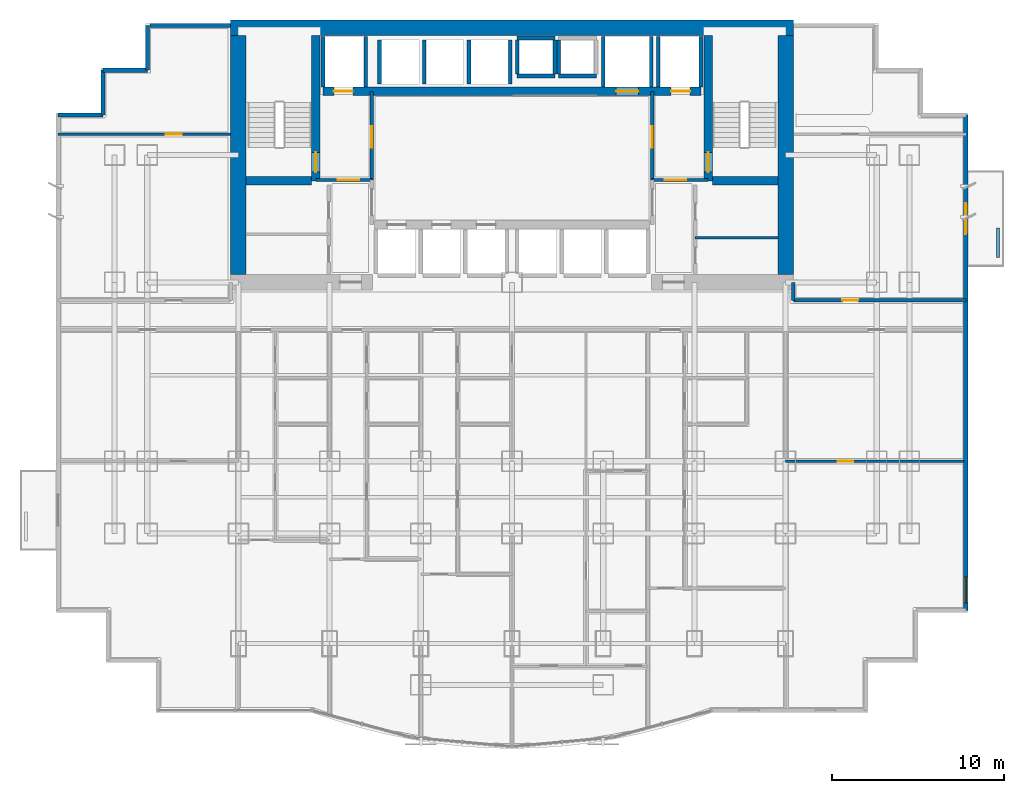
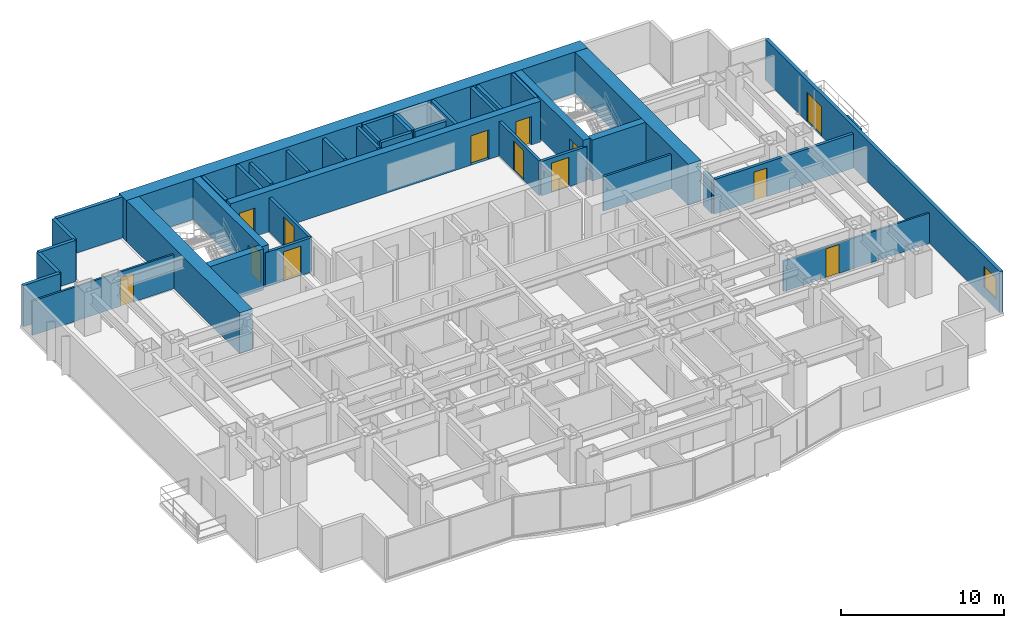
# One storey, part 7 of 10: 40 walls, 13 doors, 1 window, 14 openings.
"""IFC4 building model written with IfcOpenShell, lengths in metres."""

from ifc_helpers import new_model, si_unit, direction, frame, frame_2d, origin, place, context, subcontext, project, spatial, rectangle, extrude, material, layer, layer_set, type_object, element, fill, save


model = new_model("IFC4")

# Units and contexts
model_context = context("Model", 3, precision=1e-05, world=origin(), true_north=direction((0.0, 1.0)))
body_context = subcontext(model_context, "Body", "Model", "MODEL_VIEW")
ifc_project = project(units=[si_unit("LENGTHUNIT", "METRE"), si_unit("AREAUNIT", "SQUARE_METRE"), si_unit("VOLUMEUNIT", "CUBIC_METRE"), si_unit("PLANEANGLEUNIT", "RADIAN"), si_unit("MASSUNIT", "GRAM", prefix="KILO")], contexts=[model_context])

# Site, building, storey
site_placement = place(None, origin())
site = spatial("IfcSite", under=ifc_project, at=site_placement, CompositionType="ELEMENT")
building_placement = place(site_placement, origin())
building = spatial("IfcBuilding", under=site, at=building_placement, Name="Qianlan Lanfeng Residences", CompositionType="ELEMENT")
storey_placement = place(building_placement, frame((0.0, 0.0, 37.39990234375)))
storey = spatial("IfcBuildingStorey", under=building, at=storey_placement, Name="L09", CompositionType="ELEMENT", Elevation=37.39990234375)

# Wall, opening, door
ifc_material_1 = material(Name="Concrete C70", Category="concrete")
ifc_layer_1 = layer(ifc_material_1, 0.5)
ifc_layer_set_1 = layer_set([ifc_layer_1], Name="Concrete C70")
wall_type_1 = type_object("IfcWallType", Name="CW-RC-500", PredefinedType="SHEAR", material=ifc_layer_set_1)
wall_1_placement = place(storey_placement, frame((15.10009765625, 31.10009765625, 0.0), z_axis=(0.0, 0.0, 1.0), x_axis=(0.0, 1.0, 0.0)))
wall_1 = element("IfcWall", 1, at=wall_1_placement, inside=storey, type_object=wall_type_1, Name="L09 Core Shear Wall ST1E", PredefinedType="SHEAR", context=body_context, shape_type="SweptSolid", body=[
    extrude(rectangle(XDim=8.449951171875, YDim=0.5, at=frame_2d((4.22509765625, 0.0))), origin(), (0.0, 0.0, 1.0), 3.080078125),
])
opening_1_placement = place(wall_1_placement, frame((0.510009765625, 0.0, 0.0)))
opening_1 = element("IfcOpeningElement", 2, at=opening_1_placement, cuts=wall_1, Name="Opening L09-D07", PredefinedType="OPENING", context=body_context, shape_type="SweptSolid", body=[
    extrude(rectangle(XDim=1.14990234375, YDim=2.199951171875, at=frame_2d((0.574951171875, 1.10009765625))), frame((0.0, 0.260009765625, 0.0), z_axis=(0.0, -1.0, 0.0), x_axis=(1.0, 0.0, 0.0)), (0.0, 0.0, 1.0), 0.52001953125),
])
ifc_material_2 = material(Name="Painted Galvanised Steel Fire Door", Category="steel")
door_type_1 = type_object("IfcDoorType", Name="DT-ST1", OperationType="NOTDEFINED", PredefinedType="DOOR", material=ifc_material_2)
door_1_placement = place(opening_1_placement, frame((1.14990234375, 0.0, 0.0), z_axis=(0.0, 0.0, 1.0), x_axis=(-1.0, 0.0, 0.0)))
door_1 = element("IfcDoor", 3, at=door_1_placement, inside=storey, type_object=door_type_1, Name="L09 Exit Stair ST-1 Door L09-D07 (DT-ST1)", OperationType="SINGLE_SWING_RIGHT", OverallHeight=2.199951171875, OverallWidth=1.14990234375, PredefinedType="DOOR", context=body_context, shape_type="SweptSolid", body=[
    extrude(rectangle(XDim=1.14990234375, YDim=2.199951171875, at=frame_2d((0.574951171875, 1.10009765625))), frame((0.0, 0.02490234375, 0.0), z_axis=(0.0, -1.0, 0.0), x_axis=(1.0, 0.0, 0.0)), (0.0, 0.0, 1.0), 0.050048828125),
])
fill(opening_1, door_1)

# Wall
wall_2_placement = place(storey_placement, frame((11.050048828125, 31.10009765625, 0.0), z_axis=(0.0, 0.0, 1.0), x_axis=(1.0, 0.0, 0.0)))
element("IfcWall", 4, at=wall_2_placement, inside=storey, type_object=wall_type_1, Name="L09 Core Shear Wall ST1S", PredefinedType="SHEAR", context=body_context, shape_type="SweptSolid", body=[
    extrude(rectangle(XDim=3.800048828125, YDim=0.5, at=frame_2d((1.89990234375, 0.0))), origin(), (0.0, 0.0, 1.0), 3.080078125),
])

# Wall, opening, door
wall_3_placement = place(storey_placement, frame((37.89990234375, 31.10009765625, 0.0), z_axis=(0.0, 0.0, 1.0), x_axis=(0.0, 1.0, 0.0)))
wall_3 = element("IfcWall", 5, at=wall_3_placement, inside=storey, type_object=wall_type_1, Name="L09 Core Shear Wall ST2W", PredefinedType="SHEAR", context=body_context, shape_type="SweptSolid", body=[
    extrude(rectangle(XDim=8.449951171875, YDim=0.5, at=frame_2d((4.22509765625, 0.0))), origin(), (0.0, 0.0, 1.0), 3.080078125),
])
opening_2_placement = place(wall_3_placement, frame((0.510009765625, 0.0, 0.0)))
opening_2 = element("IfcOpeningElement", 6, at=opening_2_placement, cuts=wall_3, Name="Opening L09-D08", PredefinedType="OPENING", context=body_context, shape_type="SweptSolid", body=[
    extrude(rectangle(XDim=1.14990234375, YDim=2.199951171875, at=frame_2d((0.574951171875, 1.10009765625))), frame((0.0, 0.260009765625, 0.0), z_axis=(0.0, -1.0, 0.0), x_axis=(1.0, 0.0, 0.0)), (0.0, 0.0, 1.0), 0.52001953125),
])
door_2_placement = place(opening_2_placement, origin())
door_2 = element("IfcDoor", 7, at=door_2_placement, inside=storey, type_object=door_type_1, Name="L09 Exit Stair ST-2 Door L09-D08 (DT-ST1)", OperationType="SINGLE_SWING_RIGHT", OverallHeight=2.199951171875, OverallWidth=1.14990234375, PredefinedType="DOOR", context=body_context, shape_type="SweptSolid", body=[
    extrude(rectangle(XDim=1.14990234375, YDim=2.199951171875, at=frame_2d((0.574951171875, 1.10009765625))), frame((0.0, 0.02490234375, 0.0), z_axis=(0.0, -1.0, 0.0), x_axis=(1.0, 0.0, 0.0)), (0.0, 0.0, 1.0), 0.050048828125),
])
fill(opening_2, door_2)

# Wall
wall_4_placement = place(storey_placement, frame((38.14990234375, 31.10009765625, 0.0), z_axis=(0.0, 0.0, 1.0), x_axis=(1.0, 0.0, 0.0)))
element("IfcWall", 8, at=wall_4_placement, inside=storey, type_object=wall_type_1, Name="L09 Core Shear Wall ST2S", PredefinedType="SHEAR", context=body_context, shape_type="SweptSolid", body=[
    extrude(rectangle(XDim=3.800048828125, YDim=0.5, at=frame_2d((1.89990234375, 0.0))), origin(), (0.0, 0.0, 1.0), 3.080078125),
])

# Wall, openings, doors
wall_5_placement = place(storey_placement, frame((15.5, 36.300048828125, 0.0), z_axis=(0.0, 0.0, 1.0), x_axis=(1.0, 0.0, 0.0)))
wall_5 = element("IfcWall", 9, at=wall_5_placement, inside=storey, type_object=wall_type_1, Name="L09 Core Shear Wall LBN", PredefinedType="SHEAR", context=body_context, shape_type="SweptSolid", body=[
    extrude(rectangle(XDim=22.0, YDim=0.5, at=frame_2d((11.0, 0.0))), origin(), (0.0, 0.0, 1.0), 3.080078125),
])
opening_3_placement = place(wall_5_placement, frame((0.64990234375, 0.0, 0.0)))
opening_3 = element("IfcOpeningElement", 10, at=opening_3_placement, cuts=wall_5, Name="Opening L09-LD-FFL-1", PredefinedType="OPENING", context=body_context, shape_type="SweptSolid", body=[
    extrude(rectangle(XDim=1.10009765625, YDim=2.14990234375, at=frame_2d((0.550048828125, 1.074951171875))), frame((0.0, 0.260009765625, 0.0), z_axis=(0.0, -1.0, 0.0), x_axis=(1.0, 0.0, 0.0)), (0.0, 0.0, 1.0), 0.52001953125),
])
opening_4_placement = place(wall_5_placement, frame((20.25, 0.0, 0.0)))
opening_4 = element("IfcOpeningElement", 11, at=opening_4_placement, cuts=wall_5, Name="Opening L09-LD-FFL-2", PredefinedType="OPENING", context=body_context, shape_type="SweptSolid", body=[
    extrude(rectangle(XDim=1.10009765625, YDim=2.14990234375, at=frame_2d((0.550048828125, 1.074951171875))), frame((0.0, 0.260009765625, 0.0), z_axis=(0.0, -1.0, 0.0), x_axis=(1.0, 0.0, 0.0)), (0.0, 0.0, 1.0), 0.52001953125),
])
opening_5_placement = place(wall_5_placement, frame((17.050048828125, 0.0, 0.0)))
opening_5 = element("IfcOpeningElement", 12, at=opening_5_placement, cuts=wall_5, Name="Opening L09-LD-SVL-1", PredefinedType="OPENING", context=body_context, shape_type="SweptSolid", body=[
    extrude(rectangle(XDim=1.300048828125, YDim=2.199951171875, at=frame_2d((0.64990234375, 1.10009765625))), frame((0.0, 0.260009765625, 0.0), z_axis=(0.0, -1.0, 0.0), x_axis=(1.0, 0.0, 0.0)), (0.0, 0.0, 1.0), 0.52001953125),
])
ifc_material_3 = material(Name="Brushed Stainless Steel Sliding Lift Door", Category="steel")
door_type_2 = type_object("IfcDoorType", Name="LD-01", OperationType="NOTDEFINED", PredefinedType="DOOR", material=ifc_material_3)
door_3_placement = place(opening_3_placement, frame((1.10009765625, 0.0, 0.0), z_axis=(0.0, 0.0, 1.0), x_axis=(-1.0, 0.0, 0.0)))
door_3 = element("IfcDoor", 13, at=door_3_placement, inside=storey, type_object=door_type_2, Name="L09 Elevator FFL-1 Sliding Landing Door", OperationType="DOUBLE_DOOR_SLIDING", OverallHeight=2.14990234375, OverallWidth=1.10009765625, PredefinedType="DOOR", context=body_context, shape_type="SweptSolid", body=[
    extrude(rectangle(XDim=1.10009765625, YDim=2.14990234375, at=frame_2d((0.550048828125, 1.074951171875))), frame((0.0, 0.02490234375, 0.0), z_axis=(0.0, -1.0, 0.0), x_axis=(1.0, 0.0, 0.0)), (0.0, 0.0, 1.0), 0.050048828125),
])
fill(opening_3, door_3)
door_4_placement = place(opening_4_placement, frame((1.10009765625, 0.0, 0.0), z_axis=(0.0, 0.0, 1.0), x_axis=(-1.0, 0.0, 0.0)))
door_4 = element("IfcDoor", 14, at=door_4_placement, inside=storey, type_object=door_type_2, Name="L09 Elevator FFL-2 Sliding Landing Door", OperationType="DOUBLE_DOOR_SLIDING", OverallHeight=2.14990234375, OverallWidth=1.10009765625, PredefinedType="DOOR", context=body_context, shape_type="SweptSolid", body=[
    extrude(rectangle(XDim=1.10009765625, YDim=2.14990234375, at=frame_2d((0.550048828125, 1.074951171875))), frame((0.0, 0.02490234375, 0.0), z_axis=(0.0, -1.0, 0.0), x_axis=(1.0, 0.0, 0.0)), (0.0, 0.0, 1.0), 0.050048828125),
])
fill(opening_4, door_4)
door_type_3 = type_object("IfcDoorType", Name="LD-02", OperationType="NOTDEFINED", PredefinedType="DOOR", material=ifc_material_3)
door_5_placement = place(opening_5_placement, frame((1.300048828125, 0.0, 0.0), z_axis=(0.0, 0.0, 1.0), x_axis=(-1.0, 0.0, 0.0)))
door_5 = element("IfcDoor", 15, at=door_5_placement, inside=storey, type_object=door_type_3, Name="L09 Elevator SVL-1 Sliding Landing Door", OperationType="DOUBLE_DOOR_SLIDING", OverallHeight=2.199951171875, OverallWidth=1.300048828125, PredefinedType="DOOR", context=body_context, shape_type="SweptSolid", body=[
    extrude(rectangle(XDim=1.300048828125, YDim=2.199951171875, at=frame_2d((0.64990234375, 1.10009765625))), frame((0.0, 0.02490234375, 0.0), z_axis=(0.0, -1.0, 0.0), x_axis=(1.0, 0.0, 0.0)), (0.0, 0.0, 1.0), 0.050048828125),
])
fill(opening_5, door_5)

# Walls
ifc_layer_2 = layer(ifc_material_1, 0.89990234375)
ifc_layer_set_2 = layer_set([ifc_layer_2], Name="Concrete C70")
wall_type_2 = type_object("IfcWallType", Name="CW-RC-900", PredefinedType="SHEAR", material=ifc_layer_set_2)
wall_6_placement = place(storey_placement, frame((10.14990234375, 40.0, 0.0), z_axis=(0.0, 0.0, 1.0), x_axis=(1.0, 0.0, 0.0)))
element("IfcWall", 16, at=wall_6_placement, inside=storey, type_object=wall_type_2, Name="L09 Core Shear Wall N", PredefinedType="SHEAR", context=body_context, shape_type="SweptSolid", body=[
    extrude(rectangle(XDim=32.7001953125, YDim=0.89990234375, at=frame_2d((16.35009765625, 0.0))), origin(), (0.0, 0.0, 1.0), 3.080078125),
])
for number, where, z_axis, x_axis, name in (
    (17, (10.60009765625, 25.64990234375, 0.0), (0.0, 0.0, 1.0), (0.0, 1.0, 0.0), "L09 Core Shear Wall W"),
    (18, (42.39990234375, 25.64990234375, 0.0), (0.0, 0.0, 1.0), (0.0, 1.0, 0.0), "L09 Core Shear Wall E"),
):
    element("IfcWall", number, at=place(storey_placement, frame(where, z_axis=z_axis, x_axis=x_axis)), inside=storey, type_object=wall_type_2, Name=name, PredefinedType="SHEAR", context=body_context, shape_type="SweptSolid", body=[
        extrude(rectangle(XDim=13.900146484375, YDim=0.89990234375, at=frame_2d((6.9501953125, 0.0))), origin(), (0.0, 0.0, 1.0), 3.080078125),
    ])

# Wall, openings, door, window
ifc_material_4 = material(Name="Concrete C42", Category="concrete")
ifc_layer_3 = layer(ifc_material_4, 0.239990234375)
ifc_layer_set_3 = layer_set([ifc_layer_3], Name="Concrete C42")
wall_type_3 = type_object("IfcWallType", Name="EW-240", PredefinedType="SOLIDWALL", material=ifc_layer_set_3)
wall_7_placement = place(storey_placement, frame((52.8798828125, 6.1201171875, 0.0), z_axis=(0.0, 0.0, 1.0), x_axis=(0.0, 1.0, 0.0)))
wall_7 = element("IfcWall", 19, at=wall_7_placement, inside=storey, type_object=wall_type_3, Name="L09 Terrace/Balcony Access Exterior Wall 10", PredefinedType="SOLIDWALL", context=body_context, shape_type="SweptSolid", body=[
    extrude(rectangle(XDim=28.809814453125, YDim=0.239990234375, at=frame_2d((14.40478515625, 0.0))), origin(), (0.0, 0.0, 1.0), 3.080078125),
])
opening_6_placement = place(wall_7_placement, frame((21.8798828125, 0.0, 0.0)))
opening_6 = element("IfcOpeningElement", 20, at=opening_6_placement, cuts=wall_7, Name="Opening L09-D-EB-N", PredefinedType="OPENING", context=body_context, shape_type="SweptSolid", body=[
    extrude(rectangle(XDim=1.800048828125, YDim=2.199951171875, at=frame_2d((0.89990234375, 1.10009765625))), frame((0.0, 0.1298828125, 0.0), z_axis=(0.0, -1.0, 0.0), x_axis=(1.0, 0.0, 0.0)), (0.0, 0.0, 1.0), 0.260009765625),
])
opening_7_placement = place(wall_7_placement, frame((0.449951171875, 0.0, 0.75)))
opening_7 = element("IfcOpeningElement", 21, at=opening_7_placement, cuts=wall_7, Name="Opening W-02", PredefinedType="OPENING", context=body_context, shape_type="SweptSolid", body=[
    extrude(rectangle(XDim=1.5, YDim=1.60009765625, at=frame_2d((0.75, 0.800048828125))), frame((0.0, 0.1298828125, 0.0), z_axis=(0.0, -1.0, 0.0), x_axis=(1.0, 0.0, 0.0)), (0.0, 0.0, 1.0), 0.260009765625),
])
ifc_material_5 = material(Name="Anodised Bronze Aluminium Framed Glass", Category="aluminium")
door_type_4 = type_object("IfcDoorType", Name="DT-BAL1", OperationType="NOTDEFINED", PredefinedType="DOOR", material=ifc_material_5)
door_6_placement = place(opening_6_placement, frame((1.800048828125, 0.0, 0.0), z_axis=(0.0, 0.0, 1.0), x_axis=(-1.0, 0.0, 0.0)))
door_6 = element("IfcDoor", 22, at=door_6_placement, inside=storey, type_object=door_type_4, Name="L09 Exterior Access Door EB-N", OperationType="DOUBLE_DOOR_SLIDING", OverallHeight=2.199951171875, OverallWidth=1.800048828125, PredefinedType="DOOR", context=body_context, shape_type="SweptSolid", body=[
    extrude(rectangle(XDim=1.800048828125, YDim=2.199951171875, at=frame_2d((0.89990234375, 1.10009765625))), frame((0.0, 0.02490234375, 0.0), z_axis=(0.0, -1.0, 0.0), x_axis=(1.0, 0.0, 0.0)), (0.0, 0.0, 1.0), 0.050048828125),
])
fill(opening_6, door_6)
ifc_material_6 = material(Name="Anodised Bronze Aluminium Framed Double Glazing", Category="aluminium")
window_type = type_object("IfcWindowType", Name="W-02", PartitioningType="SINGLE_PANEL", PredefinedType="WINDOW", material=ifc_material_6)
window_placement = place(opening_7_placement, origin())
window = element("IfcWindow", 23, at=window_placement, inside=storey, type_object=window_type, Name="L09 Exterior Window W-02", OverallHeight=1.60009765625, OverallWidth=1.5, PartitioningType="SINGLE_PANEL", PredefinedType="WINDOW", context=body_context, shape_type="SweptSolid", body=[
    extrude(rectangle(XDim=1.5, YDim=1.60009765625, at=frame_2d((0.75, 0.800048828125))), frame((0.0, 0.030029296875, 0.0), z_axis=(0.0, -1.0, 0.0), x_axis=(1.0, 0.0, 0.0)), (0.0, 0.0, 1.0), 0.06005859375),
])
fill(opening_7, window)

# Walls
wall_8_placement = place(storey_placement, frame((10.14990234375, 40.1298828125, 0.0), z_axis=(0.0, 0.0, 1.0), x_axis=(-1.0, 0.0, 0.0)))
element("IfcWall", 24, at=wall_8_placement, inside=storey, type_object=wall_type_3, Name="L09 North Wing Exterior Wall W", PredefinedType="SOLIDWALL", context=body_context, shape_type="SweptSolid", body=[
    extrude(rectangle(XDim=4.699951171875, YDim=0.239990234375, at=frame_2d((2.35009765625, 0.0))), origin(), (0.0, 0.0, 1.0), 3.080078125),
])
wall_9_placement = place(storey_placement, frame((5.320068359375, 40.1298828125, 0.0), z_axis=(0.0, 0.0, 1.0), x_axis=(0.0, -1.0, 0.0)))
element("IfcWall", 25, at=wall_9_placement, inside=storey, type_object=wall_type_3, Name="L09 Exterior Facade Spandrel Wall 17", PredefinedType="SOLIDWALL", context=body_context, shape_type="SweptSolid", body=[
    extrude(rectangle(XDim=2.599853515625, YDim=0.239990234375, at=frame_2d((1.2998046875, 0.0))), origin(), (0.0, 0.0, 1.0), 3.080078125),
])
for number, where, z_axis, x_axis, name in (
    (26, (5.320068359375, 37.530029296875, 0.0), (0.0, 0.0, 1.0), (-1.0, 0.0, 0.0), "L09 Exterior Facade Spandrel Wall 18"),
    (27, (2.719970703125, 37.530029296875, 0.0), (0.0, 0.0, 1.0), (0.0, -1.0, 0.0), "L09 Exterior Facade Spandrel Wall 19"),
):
    element("IfcWall", number, at=place(storey_placement, frame(where, z_axis=z_axis, x_axis=x_axis)), inside=storey, type_object=wall_type_3, Name=name, PredefinedType="SOLIDWALL", context=body_context, shape_type="SweptSolid", body=[
        extrude(rectangle(XDim=2.60009765625, YDim=0.239990234375, at=frame_2d((1.300048828125, 0.0))), origin(), (0.0, 0.0, 1.0), 3.080078125),
    ])
wall_10_placement = place(storey_placement, frame((2.719970703125, 34.929931640625, 0.0), z_axis=(0.0, 0.0, 1.0), x_axis=(-1.0, 0.0, 0.0)))
element("IfcWall", 28, at=wall_10_placement, inside=storey, type_object=wall_type_3, Name="L09 Exterior Facade Spandrel Wall 20", PredefinedType="SOLIDWALL", context=body_context, shape_type="SweptSolid", body=[
    extrude(rectangle(XDim=2.599853515625, YDim=0.239990234375, at=frame_2d((1.2998046875, 0.0))), origin(), (0.0, 0.0, 1.0), 3.080078125),
])
ifc_layer_4 = layer(ifc_material_4, 0.199951171875)
ifc_layer_set_4 = layer_set([ifc_layer_4], Name="Concrete C42")
wall_type_4 = type_object("IfcWallType", Name="PL-TREE-200", PredefinedType="PARAPET", material=ifc_layer_set_4)
wall_11_placement = place(storey_placement, frame((54.75, 26.64990234375, 0.0), z_axis=(0.0, 0.0, 1.0), x_axis=(0.0, 1.0, 0.0)))
element("IfcWall", 29, at=wall_11_placement, inside=storey, type_object=wall_type_4, Name="L09 East Tree Planter Curb EB-N", PredefinedType="PARAPET", context=body_context, shape_type="SweptSolid", body=[
    extrude(rectangle(XDim=1.7001953125, YDim=0.199951171875, at=frame_2d((0.85009765625, 0.0))), origin(), (0.0, 0.0, 1.0), 0.650146484375),
])

# Wall, opening, door
ifc_material_7 = material(Name="Moisture-Resistant Gypsum Partition 135 mm")
ifc_layer_5 = layer(ifc_material_7, 0.135009765625)
ifc_layer_set_5 = layer_set([ifc_layer_5], Name="Moisture-Resistant Gypsum Partition 135 mm")
wall_type_5 = type_object("IfcWallType", Name="PW-135", PredefinedType="PARTITIONING", material=ifc_layer_set_5)
wall_12_placement = place(storey_placement, frame((42.39990234375, 14.800048828125, 0.0), z_axis=(0.0, 0.0, 1.0), x_axis=(1.0, 0.0, 0.0)))
wall_12 = element("IfcWall", 30, at=wall_12_placement, inside=storey, type_object=wall_type_5, Name="L09 SEP Mid Partition", PredefinedType="PARTITIONING", context=body_context, shape_type="SweptSolid", body=[
    extrude(rectangle(XDim=10.380126953125, YDim=0.135009765625, at=frame_2d((5.18994140625, 0.0))), origin(), (0.0, 0.0, 1.0), 2.275146484375),
])
opening_8_placement = place(wall_12_placement, frame((3.030029296875, 0.0, 0.0)))
opening_8 = element("IfcOpeningElement", 31, at=opening_8_placement, cuts=wall_12, Name="Opening L09-D42", PredefinedType="OPENING", context=body_context, shape_type="SweptSolid", body=[
    extrude(rectangle(XDim=0.919921875, YDim=2.14990234375, at=frame_2d((0.4599609375, 1.074951171875))), frame((0.0, 0.07763671875, 0.0), z_axis=(0.0, -1.0, 0.0), x_axis=(1.0, 0.0, 0.0)), (0.0, 0.0, 1.0), 0.155029296875),
])
ifc_material_8 = material(Name="Glazed Timber Kitchen/Study Door", Category="wood")
door_type_5 = type_object("IfcDoorType", Name="DT-INT", OperationType="NOTDEFINED", PredefinedType="DOOR", material=ifc_material_8)
door_7_placement = place(opening_8_placement, origin())
door_7 = element("IfcDoor", 32, at=door_7_placement, inside=storey, type_object=door_type_5, Name="L09 SEP Inner Door L09-D42 (DT-INT)", OperationType="SINGLE_SWING_RIGHT", OverallHeight=2.14990234375, OverallWidth=0.919921875, PredefinedType="DOOR", context=body_context, shape_type="SweptSolid", body=[
    extrude(rectangle(XDim=0.919921875, YDim=2.14990234375, at=frame_2d((0.4599609375, 1.074951171875))), frame((0.0, 0.02490234375, 0.0), z_axis=(0.0, -1.0, 0.0), x_axis=(1.0, 0.0, 0.0)), (0.0, 0.0, 1.0), 0.050048828125),
])
fill(opening_8, door_7)

wall_13_placement = place(storey_placement, frame((0.1201171875, 33.800048828125, 0.0), z_axis=(0.0, 0.0, 1.0), x_axis=(1.0, 0.0, 0.0)))
wall_13 = element("IfcWall", 33, at=wall_13_placement, inside=storey, type_object=wall_type_5, Name="L09 WW North Wing Wall", PredefinedType="PARTITIONING", context=body_context, shape_type="SweptSolid", body=[
    extrude(rectangle(XDim=10.02978515625, YDim=0.135009765625, at=frame_2d((5.014892578125, 0.0))), origin(), (0.0, 0.0, 1.0), 2.570068359375),
])
opening_9_placement = place(wall_13_placement, frame((6.2548828125, 0.0, 0.0)))
opening_9 = element("IfcOpeningElement", 34, at=opening_9_placement, cuts=wall_13, Name="Opening L09-D44", PredefinedType="OPENING", context=body_context, shape_type="SweptSolid", body=[
    extrude(rectangle(XDim=0.919921875, YDim=2.14990234375, at=frame_2d((0.4599609375, 1.074951171875))), frame((0.0, 0.07763671875, 0.0), z_axis=(0.0, -1.0, 0.0), x_axis=(1.0, 0.0, 0.0)), (0.0, 0.0, 1.0), 0.155029296875),
])
door_8_placement = place(opening_9_placement, origin())
door_8 = element("IfcDoor", 35, at=door_8_placement, inside=storey, type_object=door_type_5, Name="L09 WW Inner Salon Door L09-D44 (DT-INT)", OperationType="SINGLE_SWING_RIGHT", OverallHeight=2.14990234375, OverallWidth=0.919921875, PredefinedType="DOOR", context=body_context, shape_type="SweptSolid", body=[
    extrude(rectangle(XDim=0.919921875, YDim=2.14990234375, at=frame_2d((0.4599609375, 1.074951171875))), frame((0.0, 0.02490234375, 0.0), z_axis=(0.0, -1.0, 0.0), x_axis=(1.0, 0.0, 0.0)), (0.0, 0.0, 1.0), 0.050048828125),
])
fill(opening_9, door_8)

# Wall
ifc_material_9 = material(Name="Acoustic Drywall Partition 150 mm")
ifc_layer_6 = layer(ifc_material_9, 0.14990234375)
ifc_layer_set_6 = layer_set([ifc_layer_6], Name="Acoustic Drywall Partition 150 mm")
wall_type_6 = type_object("IfcWallType", Name="PW-150", PredefinedType="PARTITIONING", material=ifc_layer_set_6)
wall_14_placement = place(storey_placement, frame((37.14990234375, 27.800048828125, 0.0), z_axis=(0.0, 0.0, 1.0), x_axis=(1.0, 0.0, 0.0)))
element("IfcWall", 36, at=wall_14_placement, inside=storey, type_object=wall_type_6, Name="L09 Core East Split", PredefinedType="PARTITIONING", context=body_context, shape_type="SweptSolid", body=[
    extrude(rectangle(XDim=4.800048828125, YDim=0.14990234375, at=frame_2d((2.39990234375, 0.0))), origin(), (0.0, 0.0, 1.0), 2.570068359375),
])

# Wall, opening, door
ifc_material_10 = material(Name="Autoclaved Aerated Concrete Blockwork 200 mm", Category="masonry")
ifc_layer_7 = layer(ifc_material_10, 0.199951171875)
ifc_layer_set_7 = layer_set([ifc_layer_7], Name="Autoclaved Aerated Concrete Blockwork 200 mm")
wall_type_7 = type_object("IfcWallType", Name="PW-200", PredefinedType="PARTITIONING", material=ifc_layer_set_7)
wall_15_placement = place(storey_placement, frame((15.10009765625, 31.14990234375, 0.0), z_axis=(0.0, 0.0, 1.0), x_axis=(1.0, 0.0, 0.0)))
wall_15 = element("IfcWall", 37, at=wall_15_placement, inside=storey, type_object=wall_type_7, Name="L09 Firefighting Lobby 1 South Wall", PredefinedType="PARTITIONING", context=body_context, shape_type="SweptSolid", body=[
    extrude(rectangle(XDim=3.25, YDim=0.199951171875, at=frame_2d((1.625, 0.0))), origin(), (0.0, 0.0, 1.0), 2.570068359375),
])
opening_10_placement = place(wall_15_placement, frame((1.27490234375, 0.0, 0.0)))
opening_10 = element("IfcOpeningElement", 38, at=opening_10_placement, cuts=wall_15, Name="Opening L09-D03", PredefinedType="OPENING", context=body_context, shape_type="SweptSolid", body=[
    extrude(rectangle(XDim=1.25, YDim=2.199951171875, at=frame_2d((0.625, 1.10009765625))), frame((0.0, 0.10986328125, 0.0), z_axis=(0.0, -1.0, 0.0), x_axis=(1.0, 0.0, 0.0)), (0.0, 0.0, 1.0), 0.219970703125),
])
door_type_6 = type_object("IfcDoorType", Name="DT-FFL", OperationType="NOTDEFINED", PredefinedType="DOOR", material=ifc_material_2)
door_9_placement = place(opening_10_placement, origin())
door_9 = element("IfcDoor", 39, at=door_9_placement, inside=storey, type_object=door_type_6, Name="L09 Firefighting Lobby 1 Entry Door L09-D03 (DT-FFL)", OperationType="SINGLE_SWING_LEFT", OverallHeight=2.199951171875, OverallWidth=1.25, PredefinedType="DOOR", context=body_context, shape_type="SweptSolid", body=[
    extrude(rectangle(XDim=1.25, YDim=2.199951171875, at=frame_2d((0.625, 1.10009765625))), frame((0.0, 0.02490234375, 0.0), z_axis=(0.0, -1.0, 0.0), x_axis=(1.0, 0.0, 0.0)), (0.0, 0.0, 1.0), 0.050048828125),
])
fill(opening_10, door_9)

wall_16_placement = place(storey_placement, frame((18.35009765625, 31.14990234375, 0.0), z_axis=(0.0, 0.0, 1.0), x_axis=(0.0, 1.0, 0.0)))
wall_16 = element("IfcWall", 40, at=wall_16_placement, inside=storey, type_object=wall_type_7, Name="L09 Firefighting Lobby 1 East Wall", PredefinedType="PARTITIONING", context=body_context, shape_type="SweptSolid", body=[
    extrude(rectangle(XDim=5.150146484375, YDim=0.199951171875, at=frame_2d((2.5751953125, 0.0))), origin(), (0.0, 0.0, 1.0), 2.570068359375),
])
opening_11_placement = place(wall_16_placement, frame((1.875, 0.0, 0.0)))
opening_11 = element("IfcOpeningElement", 41, at=opening_11_placement, cuts=wall_16, Name="Opening L09-D04", PredefinedType="OPENING", context=body_context, shape_type="SweptSolid", body=[
    extrude(rectangle(XDim=1.25, YDim=2.199951171875, at=frame_2d((0.625, 1.10009765625))), frame((0.0, 0.10986328125, 0.0), z_axis=(0.0, -1.0, 0.0), x_axis=(1.0, 0.0, 0.0)), (0.0, 0.0, 1.0), 0.219970703125),
])
door_10_placement = place(opening_11_placement, origin())
door_10 = element("IfcDoor", 42, at=door_10_placement, inside=storey, type_object=door_type_6, Name="L09 Firefighting Lobby 1 Lift Lobby Door L09-D04 (DT-FFL)", OperationType="SINGLE_SWING_RIGHT", OverallHeight=2.199951171875, OverallWidth=1.25, PredefinedType="DOOR", context=body_context, shape_type="SweptSolid", body=[
    extrude(rectangle(XDim=1.25, YDim=2.199951171875, at=frame_2d((0.625, 1.10009765625))), frame((0.0, 0.02490234375, 0.0), z_axis=(0.0, -1.0, 0.0), x_axis=(1.0, 0.0, 0.0)), (0.0, 0.0, 1.0), 0.050048828125),
])
fill(opening_11, door_10)

wall_17_placement = place(storey_placement, frame((34.64990234375, 31.14990234375, 0.0), z_axis=(0.0, 0.0, 1.0), x_axis=(1.0, 0.0, 0.0)))
wall_17 = element("IfcWall", 43, at=wall_17_placement, inside=storey, type_object=wall_type_7, Name="L09 Firefighting Lobby 2 South Wall", PredefinedType="PARTITIONING", context=body_context, shape_type="SweptSolid", body=[
    extrude(rectangle(XDim=3.25, YDim=0.199951171875, at=frame_2d((1.625, 0.0))), origin(), (0.0, 0.0, 1.0), 2.570068359375),
])
opening_12_placement = place(wall_17_placement, frame((0.72509765625, 0.0, 0.0)))
opening_12 = element("IfcOpeningElement", 44, at=opening_12_placement, cuts=wall_17, Name="Opening L09-D05", PredefinedType="OPENING", context=body_context, shape_type="SweptSolid", body=[
    extrude(rectangle(XDim=1.25, YDim=2.199951171875, at=frame_2d((0.625, 1.10009765625))), frame((0.0, 0.10986328125, 0.0), z_axis=(0.0, -1.0, 0.0), x_axis=(1.0, 0.0, 0.0)), (0.0, 0.0, 1.0), 0.219970703125),
])
door_11_placement = place(opening_12_placement, origin())
door_11 = element("IfcDoor", 45, at=door_11_placement, inside=storey, type_object=door_type_6, Name="L09 Firefighting Lobby 2 Entry Door L09-D05 (DT-FFL)", OperationType="SINGLE_SWING_RIGHT", OverallHeight=2.199951171875, OverallWidth=1.25, PredefinedType="DOOR", context=body_context, shape_type="SweptSolid", body=[
    extrude(rectangle(XDim=1.25, YDim=2.199951171875, at=frame_2d((0.625, 1.10009765625))), frame((0.0, 0.02490234375, 0.0), z_axis=(0.0, -1.0, 0.0), x_axis=(1.0, 0.0, 0.0)), (0.0, 0.0, 1.0), 0.050048828125),
])
fill(opening_12, door_11)

wall_18_placement = place(storey_placement, frame((34.64990234375, 31.14990234375, 0.0), z_axis=(0.0, 0.0, 1.0), x_axis=(0.0, 1.0, 0.0)))
wall_18 = element("IfcWall", 46, at=wall_18_placement, inside=storey, type_object=wall_type_7, Name="L09 Firefighting Lobby 2 West Wall", PredefinedType="PARTITIONING", context=body_context, shape_type="SweptSolid", body=[
    extrude(rectangle(XDim=5.150146484375, YDim=0.199951171875, at=frame_2d((2.5751953125, 0.0))), origin(), (0.0, 0.0, 1.0), 2.570068359375),
])
opening_13_placement = place(wall_18_placement, frame((1.875, 0.0, 0.0)))
opening_13 = element("IfcOpeningElement", 47, at=opening_13_placement, cuts=wall_18, Name="Opening L09-D06", PredefinedType="OPENING", context=body_context, shape_type="SweptSolid", body=[
    extrude(rectangle(XDim=1.25, YDim=2.199951171875, at=frame_2d((0.625, 1.10009765625))), frame((0.0, 0.10986328125, 0.0), z_axis=(0.0, -1.0, 0.0), x_axis=(1.0, 0.0, 0.0)), (0.0, 0.0, 1.0), 0.219970703125),
])
door_12_placement = place(opening_13_placement, origin())
door_12 = element("IfcDoor", 48, at=door_12_placement, inside=storey, type_object=door_type_6, Name="L09 Firefighting Lobby 2 Lift Lobby Door L09-D06 (DT-FFL)", OperationType="SINGLE_SWING_RIGHT", OverallHeight=2.199951171875, OverallWidth=1.25, PredefinedType="DOOR", context=body_context, shape_type="SweptSolid", body=[
    extrude(rectangle(XDim=1.25, YDim=2.199951171875, at=frame_2d((0.625, 1.10009765625))), frame((0.0, 0.02490234375, 0.0), z_axis=(0.0, -1.0, 0.0), x_axis=(1.0, 0.0, 0.0)), (0.0, 0.0, 1.0), 0.050048828125),
])
fill(opening_13, door_12)

wall_19_placement = place(storey_placement, frame((42.85009765625, 24.14990234375, 0.0), z_axis=(0.0, 0.0, 1.0), x_axis=(1.0, 0.0, 0.0)))
wall_19 = element("IfcWall", 49, at=wall_19_placement, inside=storey, type_object=wall_type_7, Name="L09 Corridor NE Wall", PredefinedType="PARTITIONING", context=body_context, shape_type="SweptSolid", body=[
    extrude(rectangle(XDim=10.02978515625, YDim=0.199951171875, at=frame_2d((5.014892578125, 0.0))), origin(), (0.0, 0.0, 1.0), 2.570068359375),
])
opening_14_placement = place(wall_19_placement, frame((2.85498046875, 0.0, 0.0)))
opening_14 = element("IfcOpeningElement", 50, at=opening_14_placement, cuts=wall_19, Name="Opening L09-D47", PredefinedType="OPENING", context=body_context, shape_type="SweptSolid", body=[
    extrude(rectangle(XDim=0.919921875, YDim=2.14990234375, at=frame_2d((0.4599609375, 1.074951171875))), frame((0.0, 0.10986328125, 0.0), z_axis=(0.0, -1.0, 0.0), x_axis=(1.0, 0.0, 0.0)), (0.0, 0.0, 1.0), 0.219970703125),
])
door_13_placement = place(opening_14_placement, origin())
door_13 = element("IfcDoor", 51, at=door_13_placement, inside=storey, type_object=door_type_5, Name="L09 EW Amenity Salon Door L09-D47 (DT-INT)", OperationType="SINGLE_SWING_LEFT", OverallHeight=2.14990234375, OverallWidth=0.919921875, PredefinedType="DOOR", context=body_context, shape_type="SweptSolid", body=[
    extrude(rectangle(XDim=0.919921875, YDim=2.14990234375, at=frame_2d((0.4599609375, 1.074951171875))), frame((0.0, 0.02490234375, 0.0), z_axis=(0.0, -1.0, 0.0), x_axis=(1.0, 0.0, 0.0)), (0.0, 0.0, 1.0), 0.050048828125),
])
fill(opening_14, door_13)

# Walls
wall_20_placement = place(storey_placement, frame((42.85009765625, 24.14990234375, 0.0), z_axis=(0.0, 0.0, 1.0), x_axis=(0.0, 1.0, 0.0)))
element("IfcWall", 52, at=wall_20_placement, inside=storey, type_object=wall_type_7, Name="L09 NE Wing Core Return Wall", PredefinedType="PARTITIONING", context=body_context, shape_type="SweptSolid", body=[
    extrude(rectangle(XDim=1.050048828125, YDim=0.199951171875, at=frame_2d((0.52490234375, 0.0))), origin(), (0.0, 0.0, 1.0), 2.570068359375),
])
ifc_material_11 = material(Name="Concrete C49", Category="concrete")
ifc_layer_8 = layer(ifc_material_11, 0.219970703125)
ifc_layer_set_8 = layer_set([ifc_layer_8], Name="Concrete C49")
wall_type_8 = type_object("IfcWallType", Name="SHW-220", PredefinedType="SOLIDWALL", material=ifc_layer_set_8)
for number, where, z_axis, x_axis, name in (
    (53, (15.52001953125, 36.550048828125, 0.0), (0.0, 0.0, 1.0), (0.0, 1.0, 0.0), "L09 Lift FFL-1 Shaft Wall W"),
    (54, (18.0, 36.550048828125, 0.0), (0.0, 0.0, 1.0), (0.0, 1.0, 0.0), "L09 Lift FFL-1 Shaft Wall E"),
    (55, (35.0, 36.550048828125, 0.0), (0.0, 0.0, 1.0), (0.0, 1.0, 0.0), "L09 Lift FFL-2 Shaft Wall W"),
    (56, (37.47998046875, 36.550048828125, 0.0), (0.0, 0.0, 1.0), (0.0, 1.0, 0.0), "L09 Lift FFL-2 Shaft Wall E"),
    (57, (31.800048828125, 36.550048828125, 0.0), (0.0, 0.0, 1.0), (0.0, 1.0, 0.0), "L09 Lift SVL-1 Shaft Wall W"),
    (58, (34.60009765625, 36.550048828125, 0.0), (0.0, 0.0, 1.0), (0.0, 1.0, 0.0), "L09 Lift SVL-1 Shaft Wall E"),
):
    element("IfcWall", number, at=place(storey_placement, frame(where, z_axis=z_axis, x_axis=x_axis)), inside=storey, type_object=wall_type_8, Name=name, PredefinedType="SOLIDWALL", context=body_context, shape_type="SweptSolid", body=[
        extrude(rectangle(XDim=2.929931640625, YDim=0.219970703125, at=frame_2d((1.46484375, 0.0))), origin(), (0.0, 0.0, 1.0), 3.080078125),
    ])
for number, where, z_axis, x_axis, name in (
    (59, (18.800048828125, 36.719970703125, 0.0), (0.0, 0.0, 1.0), (0.0, 1.0, 0.0), "L09 Lift PL-H1 Shaft Wall W"),
    (60, (21.39990234375, 36.719970703125, 0.0), (0.0, 0.0, 1.0), (0.0, 1.0, 0.0), "L09 Lift PL-H2 Shaft Wall W"),
    (61, (24.0, 36.719970703125, 0.0), (0.0, 0.0, 1.0), (0.0, 1.0, 0.0), "L09 Lift PL-H3 Shaft Wall W"),
    (62, (26.39990234375, 36.719970703125, 0.0), (0.0, 0.0, 1.0), (0.0, 1.0, 0.0), "L09 Lift PL-H3 Shaft Wall E"),
):
    element("IfcWall", number, at=place(storey_placement, frame(where, z_axis=z_axis, x_axis=x_axis)), inside=storey, type_object=wall_type_8, Name=name, PredefinedType="SOLIDWALL", context=body_context, shape_type="SweptSolid", body=[
        extrude(rectangle(XDim=2.56005859375, YDim=0.219970703125, at=frame_2d((1.280029296875, 0.0))), origin(), (0.0, 0.0, 1.0), 3.080078125),
    ])
for number, where, z_axis, x_axis, name in (
    (63, (26.800048828125, 37.31005859375, 0.0), (0.0, 0.0, 1.0), (0.0, 1.0, 0.0), "L09 MEP Riser MEP-R1 Shaft Wall W"),
    (64, (29.0, 37.31005859375, 0.0), (0.0, 0.0, 1.0), (0.0, 1.0, 0.0), "L09 MEP Riser MEP-R1 Shaft Wall E"),
):
    element("IfcWall", number, at=place(storey_placement, frame(where, z_axis=z_axis, x_axis=x_axis)), inside=storey, type_object=wall_type_8, Name=name, PredefinedType="SOLIDWALL", context=body_context, shape_type="SweptSolid", body=[
        extrude(rectangle(XDim=1.97998046875, YDim=0.219970703125, at=frame_2d((0.989990234375, 0.0))), origin(), (0.0, 0.0, 1.0), 3.080078125),
    ])
for number, where, z_axis, x_axis, name in (
    (65, (26.800048828125, 39.39990234375, 0.0), (0.0, 0.0, 1.0), (1.0, 0.0, 0.0), "L09 MEP Riser MEP-R1 Shaft Wall N"),
    (66, (26.800048828125, 37.199951171875, 0.0), (0.0, 0.0, 1.0), (1.0, 0.0, 0.0), "L09 MEP Riser MEP-R1 Shaft Wall S"),
):
    element("IfcWall", number, at=place(storey_placement, frame(where, z_axis=z_axis, x_axis=x_axis)), inside=storey, type_object=wall_type_8, Name=name, PredefinedType="SOLIDWALL", context=body_context, shape_type="SweptSolid", body=[
        extrude(rectangle(XDim=2.199951171875, YDim=0.219970703125, at=frame_2d((1.10009765625, 0.0))), origin(), (0.0, 0.0, 1.0), 3.080078125),
    ])
wall_21_placement = place(storey_placement, frame((29.199951171875, 37.31005859375, 0.0), z_axis=(0.0, 0.0, 1.0), x_axis=(0.0, 1.0, 0.0)))
element("IfcWall", 67, at=wall_21_placement, inside=storey, type_object=wall_type_8, Name="L09 MEP Riser MEP-R2 Shaft Wall W", PredefinedType="SOLIDWALL", context=body_context, shape_type="SweptSolid", body=[
    extrude(rectangle(XDim=1.97998046875, YDim=0.219970703125, at=frame_2d((0.989990234375, 0.0))), origin(), (0.0, 0.0, 1.0), 3.080078125),
])
wall_22_placement = place(storey_placement, frame((29.199951171875, 37.199951171875, 0.0), z_axis=(0.0, 0.0, 1.0), x_axis=(1.0, 0.0, 0.0)))
element("IfcWall", 68, at=wall_22_placement, inside=storey, type_object=wall_type_8, Name="L09 MEP Riser MEP-R2 Shaft Wall S", PredefinedType="SOLIDWALL", context=body_context, shape_type="SweptSolid", body=[
    extrude(rectangle(XDim=2.199951171875, YDim=0.219970703125, at=frame_2d((1.10009765625, 0.0))), origin(), (0.0, 0.0, 1.0), 3.080078125),
])

save(model, "model.ifc")
